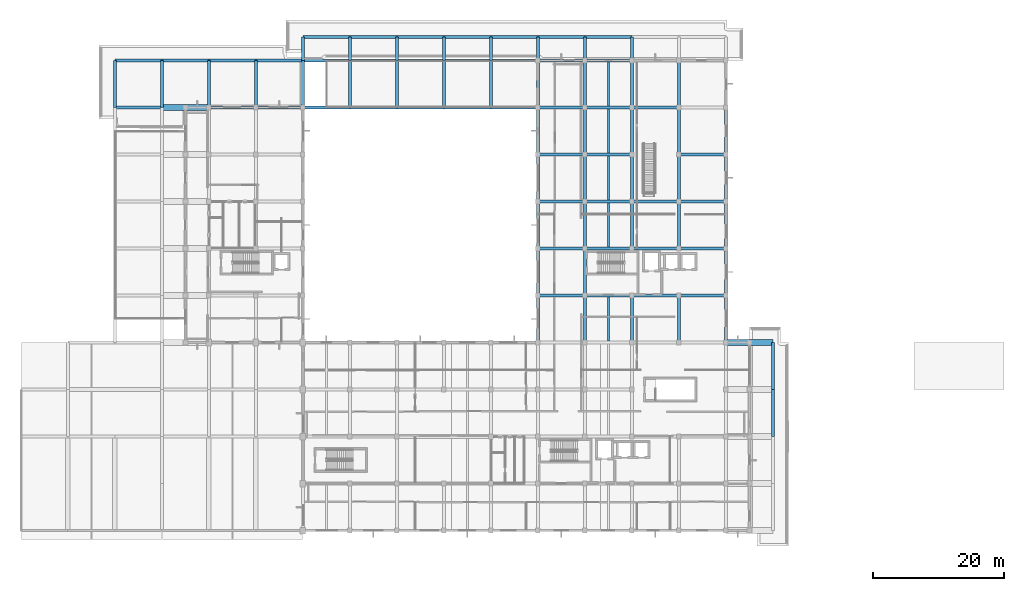
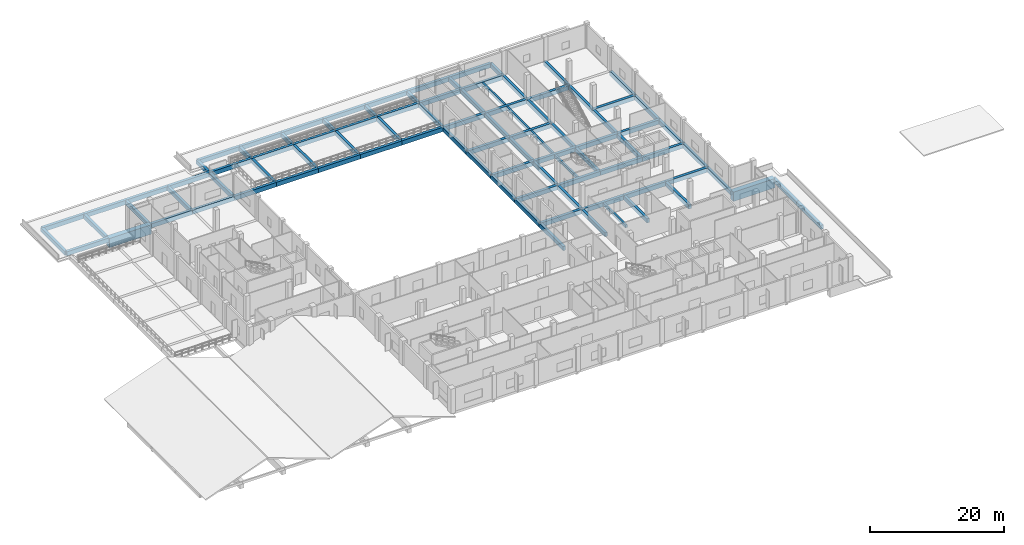
# One storey, part 7 of 24: 97 beams.
"""IFC4 building model written with IfcOpenShell, lengths in metres."""

import ifcopenshell
import ifcopenshell.guid

model = None  # the IFC model being written
_history = None  # IfcOwnerHistory: only IFC2X3 demands one
_inside = {}  # id of a spatial element -> (the spatial element, [elements in it])
_under = {}  # id of a project, library or spatial element -> (it, [spatial elements below it])
_declared = {}  # id of a project -> (the project, [libraries it declares])
_typed = {}  # id of a type object -> (the type object, [elements of that type])
_made_of = {}  # id of a material, layer set ... -> (it, [elements and type objects made of it])


def new_model(schema):
    """Start an empty IFC model of exactly this schema.

    Asked for "IFC4X3", IfcOpenShell would pick the latest addendum, in which some entities
    have other attributes; the version numbers below select the first issue.
    IFC2X3 requires an IfcOwnerHistory on every rooted entity: one is made here for all.
    """
    global model, _history
    if schema == "IFC4X3":
        model = ifcopenshell.file(schema_version=(4, 3, 0, 0))
    else:
        model = ifcopenshell.file(schema=schema)
    _inside.clear()
    _under.clear()
    _declared.clear()
    _typed.clear()
    _made_of.clear()
    _history = None
    if model.schema == "IFC2X3":
        org = make("IfcOrganization", Name="unknown")
        user = make(
            "IfcPersonAndOrganization",
            ThePerson=make("IfcPerson", FamilyName="unknown"),
            TheOrganization=org,
        )
        app = make(
            "IfcApplication",
            ApplicationDeveloper=org,
            Version="unknown",
            ApplicationFullName="unknown",
            ApplicationIdentifier="unknown",
        )
        _history = make(
            "IfcOwnerHistory",
            OwningUser=user,
            OwningApplication=app,
            ChangeAction="ADDED",
            CreationDate=0,
        )
    return model


def make(cls, **values):
    """One entity of the class cls with the attributes given. An attribute that is None is left unset."""
    return model.create_entity(
        cls, **{name: value for name, value in values.items() if value is not None}
    )


def rooted(cls, **values):
    """An entity with a GlobalId (a new one), such as an element, a storey or a relation."""
    return make(cls, GlobalId=ifcopenshell.guid.new(), OwnerHistory=_history, **values)


def si_unit(unit_type, name, prefix=None):
    """IfcSIUnit, for example si_unit("LENGTHUNIT", "METRE", prefix="MILLI")."""
    return make("IfcSIUnit", UnitType=unit_type, Prefix=prefix, Name=name)


def assignment(units):
    """IfcUnitAssignment: the units of a project."""
    return None if units is None else make("IfcUnitAssignment", Units=units)


def point(xyz):
    """IfcCartesianPoint."""
    return None if xyz is None else make("IfcCartesianPoint", Coordinates=xyz)


def direction(xyz):
    """IfcDirection."""
    return None if xyz is None else make("IfcDirection", DirectionRatios=xyz)


def frame(location, z_axis=None, x_axis=None):
    """IfcAxis2Placement3D, a coordinate frame: its origin and axes. An axis left out is left unset."""
    return make(
        "IfcAxis2Placement3D",
        Location=point(location),
        Axis=direction(z_axis),
        RefDirection=direction(x_axis),
    )


def frame_2d(location, x_axis=None):
    """IfcAxis2Placement2D, a coordinate frame in the plane: its origin and x axis."""
    return make(
        "IfcAxis2Placement2D", Location=point(location), RefDirection=direction(x_axis)
    )


def origin():
    """The frame at (0, 0, 0) with its axes left unset."""
    return frame((0.0, 0.0, 0.0))


def origin_2d():
    """The frame at (0, 0) in the plane with its x axis left unset."""
    return frame_2d((0.0, 0.0))


def place(relative_to, where):
    """IfcLocalPlacement: puts the frame where relative to a parent placement (None: the world)."""
    return make(
        "IfcLocalPlacement", PlacementRelTo=relative_to, RelativePlacement=where
    )


def context(
    kind, dimensions, precision=None, world=None, true_north=None, identifier=None
):
    """IfcGeometricRepresentationContext, for example the 3D "Model" context."""
    return make(
        "IfcGeometricRepresentationContext",
        ContextIdentifier=identifier,
        ContextType=kind,
        CoordinateSpaceDimension=dimensions,
        Precision=precision,
        WorldCoordinateSystem=world,
        TrueNorth=true_north,
    )


def subcontext(parent, identifier, kind, view, scale=None):
    """IfcGeometricRepresentationSubContext, for example "Body" below "Model"."""
    return make(
        "IfcGeometricRepresentationSubContext",
        ContextIdentifier=identifier,
        ContextType=kind,
        ParentContext=parent,
        TargetScale=scale,
        TargetView=view,
    )


def project(units=None, contexts=None):
    """IfcProject with its units and contexts."""
    return rooted(
        "IfcProject",
        Name="project",
        RepresentationContexts=contexts,
        UnitsInContext=assignment(units),
    )


def spatial(cls, under=None, at=None, **own):
    """A site, building, storey or space (cls), placed at a placement, below another one or the project."""
    s = rooted(cls, ObjectPlacement=at, **own)
    if under is not None:
        _under.setdefault(under.id(), (under, []))[1].append(s)
    return s


def profile(cls, at=None, kind="AREA", **sizes):
    """A parametric profile (cls). Its sizes go by their IFC names, for example OverallWidth=200.0."""
    return make(cls, ProfileType=kind, Position=at, **sizes)


def rectangle(**sizes):
    """IfcRectangleProfileDef."""
    return profile("IfcRectangleProfileDef", **sizes)


def extrude(swept, where, along, depth):
    """IfcExtrudedAreaSolid: the profile swept, set in the frame where, extruded along a direction by depth."""
    return make(
        "IfcExtrudedAreaSolid",
        SweptArea=swept,
        Position=where,
        ExtrudedDirection=direction(along),
        Depth=depth,
    )


def shape(context_of_items, identifier, shape_type, items):
    """IfcShapeRepresentation: the items that make up one representation, for example the "Body"."""
    return make(
        "IfcShapeRepresentation",
        ContextOfItems=context_of_items,
        RepresentationIdentifier=identifier,
        RepresentationType=shape_type,
        Items=items,
    )


def material(Name=None, Category=None):
    """IfcMaterial."""
    return make("IfcMaterial", Name=Name, Category=Category)


def material_profile(
    of_material, cross_section, Name=None, Category=None, Priority=None
):
    """IfcMaterialProfile: a cross section and its material."""
    return make(
        "IfcMaterialProfile",
        Name=Name,
        Material=of_material,
        Profile=cross_section,
        Priority=Priority,
        Category=Category,
    )


def profile_set(profiles, Name=None, composite=None):
    """IfcMaterialProfileSet."""
    return make(
        "IfcMaterialProfileSet",
        Name=Name,
        MaterialProfiles=profiles,
        CompositeProfile=composite,
    )


def made_of(thing, what):
    """Note that an element or type object is made of a material, layer set ...; save() writes the relation."""
    if what is not None:
        _made_of.setdefault(what.id(), (what, []))[1].append(thing)
    return thing


def type_object(cls, material=None, **own):
    """A type object (cls), such as IfcWallType, which elements share."""
    return made_of(rooted(cls, **own), material)


def element(
    cls,
    number,
    at=None,
    inside=None,
    cuts=None,
    type_object=None,
    material=None,
    context=None,
    identifier="Body",
    shape_type=None,
    held_by="IfcProductDefinitionShape",
    body=None,
    shapes=None,
    **own,
):
    """One element of the class cls, such as IfcWall. Its Tag is "e" and its number.

    at: its placement. inside: the storey or other place that contains it. cuts: it is an
    opening in that element (IfcRelVoidsElement). A single representation is given by context,
    identifier, shape_type and body (its items); several are given by shapes. held_by: the class
    of the entity that holds the representations. save() writes the other relations.
    """
    e = rooted(cls, Tag="e%d" % number, ObjectPlacement=at, **own)
    if body is not None:
        shapes = [shape(context, identifier, shape_type, body)]
    if shapes is not None:
        e.Representation = make(held_by, Representations=shapes)
    if inside is not None:
        _inside.setdefault(inside.id(), (inside, []))[1].append(e)
    if cuts is not None:
        rooted(
            "IfcRelVoidsElement", RelatingBuildingElement=cuts, RelatedOpeningElement=e
        )
    if type_object is not None:
        _typed.setdefault(type_object.id(), (type_object, []))[1].append(e)
    return made_of(e, material)


def aggregate(whole, parts):
    """IfcRelAggregates: a whole, such as a stair, and the parts it consists of."""
    return rooted("IfcRelAggregates", RelatingObject=whole, RelatedObjects=parts)


def save(model, path):
    """Write the relations noted so far, then the file.

    IfcRelAggregates (storeys below a building ...), IfcRelContainedInSpatialStructure (elements
    in a storey), IfcRelDefinesByType, IfcRelAssociatesMaterial and IfcRelDeclares: one each for
    every whole, place, type object, material and project.
    """
    for whole, parts in _under.values():
        aggregate(whole, parts)
    for where, things in _inside.values():
        rooted(
            "IfcRelContainedInSpatialStructure",
            RelatedElements=things,
            RelatingStructure=where,
        )
    for kind, things in _typed.values():
        rooted("IfcRelDefinesByType", RelatedObjects=things, RelatingType=kind)
    for what, things in _made_of.values():
        rooted("IfcRelAssociatesMaterial", RelatedObjects=things, RelatingMaterial=what)
    for by, libraries in _declared.values():
        rooted("IfcRelDeclares", RelatingContext=by, RelatedDefinitions=libraries)
    model.write(path)


model = new_model("IFC4")

# Units and contexts
model_context = context("Model", 3, precision=1e-05, world=origin(), true_north=direction((0.0, 1.0)))
body_context = subcontext(model_context, "Body", "Model", "MODEL_VIEW")
ifc_project = project(units=[si_unit("LENGTHUNIT", "METRE"), si_unit("AREAUNIT", "SQUARE_METRE"), si_unit("VOLUMEUNIT", "CUBIC_METRE"), si_unit("PLANEANGLEUNIT", "RADIAN"), si_unit("MASSUNIT", "GRAM", prefix="KILO")], contexts=[model_context])

# Site, building, storey
site_placement = place(None, origin())
site = spatial("IfcSite", under=ifc_project, at=site_placement, CompositionType="ELEMENT")
building_placement = place(site_placement, origin())
building = spatial("IfcBuilding", under=site, at=building_placement, Name="Seraya Terrace Polytechnic", CompositionType="ELEMENT")
storey_placement = place(building_placement, frame((0.0, 0.0, 18.89990234375)))
storey = spatial("IfcBuildingStorey", under=building, at=storey_placement, Name="L04", CompositionType="ELEMENT", Elevation=18.89990234375)

# Beams
ifc_material = material(Name="Concrete C40/50", Category="concrete")
ifc_material_profile_1 = material_profile(ifc_material, rectangle(XDim=0.47998046875, YDim=0.780029296875, at=origin_2d()), Name="RC 480x780")
ifc_profile_set_1 = profile_set([ifc_material_profile_1], Name="Concrete C40/50")
beam_type_1 = type_object("IfcBeamType", Name="BM-06", PredefinedType="BEAM", material=ifc_profile_set_1)
beam_1_placement = place(storey_placement, frame((79.199951171875, 36.0, -0.389892578125), z_axis=(1.0, 0.0, 0.0), x_axis=(0.0, 1.0, 0.0)))
element("IfcBeam", 1, at=beam_1_placement, inside=storey, type_object=beam_type_1, Name="Beam BM-06 L04 X (79.2..86.4, 36.0)", PredefinedType="BEAM", context=body_context, shape_type="SweptSolid", body=[
    extrude(rectangle(XDim=0.47998046875, YDim=0.780029296875, at=origin_2d()), origin(), (0.0, 0.0, 1.0), 7.199951171875),
])
beam_2_placement = place(storey_placement, frame((86.39990234375, 36.0, -0.389892578125), z_axis=(1.0, 0.0, 0.0), x_axis=(0.0, 1.0, 0.0)))
element("IfcBeam", 2, at=beam_2_placement, inside=storey, type_object=beam_type_1, Name="Beam BM-06 L04 X (86.4..93.6, 36.0)", PredefinedType="BEAM", context=body_context, shape_type="SweptSolid", body=[
    extrude(rectangle(XDim=0.47998046875, YDim=0.780029296875, at=origin_2d()), origin(), (0.0, 0.0, 1.0), 7.2001953125),
])
for number, where, z_axis, x_axis, name in (
    (3, (93.60009765625, 36.0, -0.389892578125), (1.0, 0.0, 0.0), (0.0, 1.0, 0.0), "Beam BM-06 L04 X (93.6..100.8, 36.0)"),
    (4, (100.800048828125, 36.0, -0.389892578125), (1.0, 0.0, 0.0), (0.0, 1.0, 0.0), "Beam BM-06 L04 X (100.8..108.0, 36.0)"),
    (5, (79.199951171875, 43.199951171875, -0.389892578125), (1.0, 0.0, 0.0), (0.0, 1.0, 0.0), "Beam BM-06 L04 X (79.2..86.4, 43.2)"),
):
    element("IfcBeam", number, at=place(storey_placement, frame(where, z_axis=z_axis, x_axis=x_axis)), inside=storey, type_object=beam_type_1, Name=name, PredefinedType="BEAM", context=body_context, shape_type="SweptSolid", body=[
        extrude(rectangle(XDim=0.47998046875, YDim=0.780029296875, at=origin_2d()), origin(), (0.0, 0.0, 1.0), 7.199951171875),
    ])
beam_3_placement = place(storey_placement, frame((86.39990234375, 43.199951171875, -0.389892578125), z_axis=(1.0, 0.0, 0.0), x_axis=(0.0, 1.0, 0.0)))
element("IfcBeam", 6, at=beam_3_placement, inside=storey, type_object=beam_type_1, Name="Beam BM-06 L04 X (86.4..93.6, 43.2)", PredefinedType="BEAM", context=body_context, shape_type="SweptSolid", body=[
    extrude(rectangle(XDim=0.47998046875, YDim=0.780029296875, at=origin_2d()), origin(), (0.0, 0.0, 1.0), 7.2001953125),
])
for number, where, z_axis, x_axis, name in (
    (7, (93.60009765625, 43.199951171875, -0.389892578125), (1.0, 0.0, 0.0), (0.0, 1.0, 0.0), "Beam BM-06 L04 X (93.6..100.8, 43.2)"),
    (8, (100.800048828125, 43.199951171875, -0.389892578125), (1.0, 0.0, 0.0), (0.0, 1.0, 0.0), "Beam BM-06 L04 X (100.8..108.0, 43.2)"),
    (9, (79.199951171875, 50.39990234375, -0.389892578125), (1.0, 0.0, 0.0), (0.0, 1.0, 0.0), "Beam BM-06 L04 X (79.2..86.4, 50.4)"),
):
    element("IfcBeam", number, at=place(storey_placement, frame(where, z_axis=z_axis, x_axis=x_axis)), inside=storey, type_object=beam_type_1, Name=name, PredefinedType="BEAM", context=body_context, shape_type="SweptSolid", body=[
        extrude(rectangle(XDim=0.47998046875, YDim=0.780029296875, at=origin_2d()), origin(), (0.0, 0.0, 1.0), 7.199951171875),
    ])
beam_4_placement = place(storey_placement, frame((86.39990234375, 50.39990234375, -0.389892578125), z_axis=(1.0, 0.0, 0.0), x_axis=(0.0, 1.0, 0.0)))
element("IfcBeam", 10, at=beam_4_placement, inside=storey, type_object=beam_type_1, Name="Beam BM-06 L04 X (86.4..93.6, 50.4)", PredefinedType="BEAM", context=body_context, shape_type="SweptSolid", body=[
    extrude(rectangle(XDim=0.47998046875, YDim=0.780029296875, at=origin_2d()), origin(), (0.0, 0.0, 1.0), 7.2001953125),
])
for number, where, z_axis, x_axis, name in (
    (11, (93.60009765625, 50.39990234375, -0.389892578125), (1.0, 0.0, 0.0), (0.0, 1.0, 0.0), "Beam BM-06 L04 X (93.6..100.8, 50.4)"),
    (12, (100.800048828125, 50.39990234375, -0.389892578125), (1.0, 0.0, 0.0), (0.0, 1.0, 0.0), "Beam BM-06 L04 X (100.8..108.0, 50.4)"),
    (13, (79.199951171875, 57.60009765625, -0.389892578125), (1.0, 0.0, 0.0), (0.0, 1.0, 0.0), "Beam BM-06 L04 X (79.2..86.4, 57.6)"),
):
    element("IfcBeam", number, at=place(storey_placement, frame(where, z_axis=z_axis, x_axis=x_axis)), inside=storey, type_object=beam_type_1, Name=name, PredefinedType="BEAM", context=body_context, shape_type="SweptSolid", body=[
        extrude(rectangle(XDim=0.47998046875, YDim=0.780029296875, at=origin_2d()), origin(), (0.0, 0.0, 1.0), 7.199951171875),
    ])
beam_5_placement = place(storey_placement, frame((86.39990234375, 57.60009765625, -0.389892578125), z_axis=(1.0, 0.0, 0.0), x_axis=(0.0, 1.0, 0.0)))
element("IfcBeam", 14, at=beam_5_placement, inside=storey, type_object=beam_type_1, Name="Beam BM-06 L04 X (86.4..93.6, 57.6)", PredefinedType="BEAM", context=body_context, shape_type="SweptSolid", body=[
    extrude(rectangle(XDim=0.47998046875, YDim=0.780029296875, at=origin_2d()), origin(), (0.0, 0.0, 1.0), 7.2001953125),
])
beam_6_placement = place(storey_placement, frame((100.800048828125, 57.60009765625, -0.389892578125), z_axis=(1.0, 0.0, 0.0), x_axis=(0.0, 1.0, 0.0)))
element("IfcBeam", 15, at=beam_6_placement, inside=storey, type_object=beam_type_1, Name="Beam BM-06 L04 X (100.8..108.0, 57.6)", PredefinedType="BEAM", context=body_context, shape_type="SweptSolid", body=[
    extrude(rectangle(XDim=0.47998046875, YDim=0.780029296875, at=origin_2d()), origin(), (0.0, 0.0, 1.0), 7.199951171875),
])
beam_7_placement = place(storey_placement, frame((14.39990234375, 64.800048828125, -0.389892578125), z_axis=(1.0, 0.0, 0.0), x_axis=(0.0, 1.0, 0.0)))
element("IfcBeam", 16, at=beam_7_placement, inside=storey, type_object=beam_type_1, Name="Beam BM-06 L04 X (14.4..21.6, 64.8)", PredefinedType="BEAM", context=body_context, shape_type="SweptSolid", body=[
    extrude(rectangle(XDim=0.47998046875, YDim=0.780029296875, at=origin_2d()), origin(), (0.0, 0.0, 1.0), 7.2001953125),
])
for number, where, z_axis, x_axis, name in (
    (17, (28.800048828125, 64.800048828125, -0.389892578125), (1.0, 0.0, 0.0), (0.0, 1.0, 0.0), "Beam BM-06 L04 X (28.8..36.0, 64.8)"),
    (18, (36.0, 64.800048828125, -0.389892578125), (1.0, 0.0, 0.0), (0.0, 1.0, 0.0), "Beam BM-06 L04 X (36.0..43.2, 64.8)"),
    (19, (43.199951171875, 64.800048828125, -0.389892578125), (1.0, 0.0, 0.0), (0.0, 1.0, 0.0), "Beam BM-06 L04 X (43.2..50.4, 64.8)"),
):
    element("IfcBeam", number, at=place(storey_placement, frame(where, z_axis=z_axis, x_axis=x_axis)), inside=storey, type_object=beam_type_1, Name=name, PredefinedType="BEAM", context=body_context, shape_type="SweptSolid", body=[
        extrude(rectangle(XDim=0.47998046875, YDim=0.780029296875, at=origin_2d()), origin(), (0.0, 0.0, 1.0), 7.199951171875),
    ])
beam_8_placement = place(storey_placement, frame((50.39990234375, 64.800048828125, -0.389892578125), z_axis=(1.0, 0.0, 0.0), x_axis=(0.0, 1.0, 0.0)))
element("IfcBeam", 20, at=beam_8_placement, inside=storey, type_object=beam_type_1, Name="Beam BM-06 L04 X (50.4..57.6, 64.8)", PredefinedType="BEAM", context=body_context, shape_type="SweptSolid", body=[
    extrude(rectangle(XDim=0.47998046875, YDim=0.780029296875, at=origin_2d()), origin(), (0.0, 0.0, 1.0), 7.2001953125),
])
for number, where, z_axis, x_axis, name in (
    (21, (57.60009765625, 64.800048828125, -0.389892578125), (1.0, 0.0, 0.0), (0.0, 1.0, 0.0), "Beam BM-06 L04 X (57.6..64.8, 64.8)"),
    (22, (64.800048828125, 64.800048828125, -0.389892578125), (1.0, 0.0, 0.0), (0.0, 1.0, 0.0), "Beam BM-06 L04 X (64.8..72.0, 64.8)"),
    (23, (72.0, 64.800048828125, -0.389892578125), (1.0, 0.0, 0.0), (0.0, 1.0, 0.0), "Beam BM-06 L04 X (72.0..79.2, 64.8)"),
    (24, (79.199951171875, 64.800048828125, -0.389892578125), (1.0, 0.0, 0.0), (0.0, 1.0, 0.0), "Beam BM-06 L04 X (79.2..86.4, 64.8)"),
):
    element("IfcBeam", number, at=place(storey_placement, frame(where, z_axis=z_axis, x_axis=x_axis)), inside=storey, type_object=beam_type_1, Name=name, PredefinedType="BEAM", context=body_context, shape_type="SweptSolid", body=[
        extrude(rectangle(XDim=0.47998046875, YDim=0.780029296875, at=origin_2d()), origin(), (0.0, 0.0, 1.0), 7.199951171875),
    ])
beam_9_placement = place(storey_placement, frame((86.39990234375, 64.800048828125, -0.389892578125), z_axis=(1.0, 0.0, 0.0), x_axis=(0.0, 1.0, 0.0)))
element("IfcBeam", 25, at=beam_9_placement, inside=storey, type_object=beam_type_1, Name="Beam BM-06 L04 X (86.4..93.6, 64.8)", PredefinedType="BEAM", context=body_context, shape_type="SweptSolid", body=[
    extrude(rectangle(XDim=0.47998046875, YDim=0.780029296875, at=origin_2d()), origin(), (0.0, 0.0, 1.0), 7.2001953125),
])
beam_10_placement = place(storey_placement, frame((93.60009765625, 64.800048828125, -0.389892578125), z_axis=(1.0, 0.0, 0.0), x_axis=(0.0, 1.0, 0.0)))
element("IfcBeam", 26, at=beam_10_placement, inside=storey, type_object=beam_type_1, Name="Beam BM-06 L04 X (93.6..100.8, 64.8)", PredefinedType="BEAM", context=body_context, shape_type="SweptSolid", body=[
    extrude(rectangle(XDim=0.47998046875, YDim=0.780029296875, at=origin_2d()), origin(), (0.0, 0.0, 1.0), 7.199951171875),
])
beam_11_placement = place(storey_placement, frame((14.39990234375, 72.0, -0.389892578125), z_axis=(1.0, 0.0, 0.0), x_axis=(0.0, 1.0, 0.0)))
element("IfcBeam", 27, at=beam_11_placement, inside=storey, type_object=beam_type_1, Name="Beam BM-06 L04 X (14.4..21.6, 72.0)", PredefinedType="BEAM", context=body_context, shape_type="SweptSolid", body=[
    extrude(rectangle(XDim=0.47998046875, YDim=0.780029296875, at=origin_2d()), origin(), (0.0, 0.0, 1.0), 7.2001953125),
])
for number, where, z_axis, x_axis, name in (
    (28, (21.60009765625, 72.0, -0.389892578125), (1.0, 0.0, 0.0), (0.0, 1.0, 0.0), "Beam BM-06 L04 X (21.6..28.8, 72.0)"),
    (29, (28.800048828125, 72.0, -0.389892578125), (1.0, 0.0, 0.0), (0.0, 1.0, 0.0), "Beam BM-06 L04 X (28.8..36.0, 72.0)"),
    (30, (36.0, 72.0, -0.389892578125), (1.0, 0.0, 0.0), (0.0, 1.0, 0.0), "Beam BM-06 L04 X (36.0..43.2, 72.0)"),
    (31, (43.199951171875, 72.0, -0.389892578125), (1.0, 0.0, 0.0), (0.0, 1.0, 0.0), "Beam BM-06 L04 X (43.2..50.4, 72.0)"),
):
    element("IfcBeam", number, at=place(storey_placement, frame(where, z_axis=z_axis, x_axis=x_axis)), inside=storey, type_object=beam_type_1, Name=name, PredefinedType="BEAM", context=body_context, shape_type="SweptSolid", body=[
        extrude(rectangle(XDim=0.47998046875, YDim=0.780029296875, at=origin_2d()), origin(), (0.0, 0.0, 1.0), 7.199951171875),
    ])
beam_12_placement = place(storey_placement, frame((50.39990234375, 72.0, -0.389892578125), z_axis=(1.0, 0.0, 0.0), x_axis=(0.0, 1.0, 0.0)))
element("IfcBeam", 32, at=beam_12_placement, inside=storey, type_object=beam_type_1, Name="Beam BM-06 L04 X (50.4..57.6, 72.0)", PredefinedType="BEAM", context=body_context, shape_type="SweptSolid", body=[
    extrude(rectangle(XDim=0.47998046875, YDim=0.780029296875, at=origin_2d()), origin(), (0.0, 0.0, 1.0), 7.2001953125),
])
for number, where, z_axis, x_axis, name in (
    (33, (57.60009765625, 72.0, -0.389892578125), (1.0, 0.0, 0.0), (0.0, 1.0, 0.0), "Beam BM-06 L04 X (57.6..64.8, 72.0)"),
    (34, (64.800048828125, 72.0, -0.389892578125), (1.0, 0.0, 0.0), (0.0, 1.0, 0.0), "Beam BM-06 L04 X (64.8..72.0, 72.0)"),
    (35, (72.0, 72.0, -0.389892578125), (1.0, 0.0, 0.0), (0.0, 1.0, 0.0), "Beam BM-06 L04 X (72.0..79.2, 72.0)"),
    (36, (79.199951171875, 72.0, -0.389892578125), (1.0, 0.0, 0.0), (0.0, 1.0, 0.0), "Beam BM-06 L04 X (79.2..86.4, 72.0)"),
):
    element("IfcBeam", number, at=place(storey_placement, frame(where, z_axis=z_axis, x_axis=x_axis)), inside=storey, type_object=beam_type_1, Name=name, PredefinedType="BEAM", context=body_context, shape_type="SweptSolid", body=[
        extrude(rectangle(XDim=0.47998046875, YDim=0.780029296875, at=origin_2d()), origin(), (0.0, 0.0, 1.0), 7.199951171875),
    ])
beam_13_placement = place(storey_placement, frame((86.39990234375, 72.0, -0.389892578125), z_axis=(1.0, 0.0, 0.0), x_axis=(0.0, 1.0, 0.0)))
element("IfcBeam", 37, at=beam_13_placement, inside=storey, type_object=beam_type_1, Name="Beam BM-06 L04 X (86.4..93.6, 72.0)", PredefinedType="BEAM", context=body_context, shape_type="SweptSolid", body=[
    extrude(rectangle(XDim=0.47998046875, YDim=0.780029296875, at=origin_2d()), origin(), (0.0, 0.0, 1.0), 7.2001953125),
])
beam_14_placement = place(storey_placement, frame((43.199951171875, 75.60009765625, -0.389892578125), z_axis=(1.0, 0.0, 0.0), x_axis=(0.0, 1.0, 0.0)))
element("IfcBeam", 38, at=beam_14_placement, inside=storey, type_object=beam_type_1, Name="Beam BM-06 L04 X (43.2..50.4, 75.6)", PredefinedType="BEAM", context=body_context, shape_type="SweptSolid", body=[
    extrude(rectangle(XDim=0.47998046875, YDim=0.780029296875, at=origin_2d()), origin(), (0.0, 0.0, 1.0), 7.199951171875),
])
beam_15_placement = place(storey_placement, frame((50.39990234375, 75.60009765625, -0.389892578125), z_axis=(1.0, 0.0, 0.0), x_axis=(0.0, 1.0, 0.0)))
element("IfcBeam", 39, at=beam_15_placement, inside=storey, type_object=beam_type_1, Name="Beam BM-06 L04 X (50.4..57.6, 75.6)", PredefinedType="BEAM", context=body_context, shape_type="SweptSolid", body=[
    extrude(rectangle(XDim=0.47998046875, YDim=0.780029296875, at=origin_2d()), origin(), (0.0, 0.0, 1.0), 7.2001953125),
])
for number, where, z_axis, x_axis, name in (
    (40, (57.60009765625, 75.60009765625, -0.389892578125), (1.0, 0.0, 0.0), (0.0, 1.0, 0.0), "Beam BM-06 L04 X (57.6..64.8, 75.6)"),
    (41, (64.800048828125, 75.60009765625, -0.389892578125), (1.0, 0.0, 0.0), (0.0, 1.0, 0.0), "Beam BM-06 L04 X (64.8..72.0, 75.6)"),
    (42, (72.0, 75.60009765625, -0.389892578125), (1.0, 0.0, 0.0), (0.0, 1.0, 0.0), "Beam BM-06 L04 X (72.0..79.2, 75.6)"),
    (43, (79.199951171875, 75.60009765625, -0.389892578125), (1.0, 0.0, 0.0), (0.0, 1.0, 0.0), "Beam BM-06 L04 X (79.2..86.4, 75.6)"),
):
    element("IfcBeam", number, at=place(storey_placement, frame(where, z_axis=z_axis, x_axis=x_axis)), inside=storey, type_object=beam_type_1, Name=name, PredefinedType="BEAM", context=body_context, shape_type="SweptSolid", body=[
        extrude(rectangle(XDim=0.47998046875, YDim=0.780029296875, at=origin_2d()), origin(), (0.0, 0.0, 1.0), 7.199951171875),
    ])
beam_16_placement = place(storey_placement, frame((86.39990234375, 75.60009765625, -0.389892578125), z_axis=(1.0, 0.0, 0.0), x_axis=(0.0, 1.0, 0.0)))
element("IfcBeam", 44, at=beam_16_placement, inside=storey, type_object=beam_type_1, Name="Beam BM-06 L04 X (86.4..93.6, 75.6)", PredefinedType="BEAM", context=body_context, shape_type="SweptSolid", body=[
    extrude(rectangle(XDim=0.47998046875, YDim=0.780029296875, at=origin_2d()), origin(), (0.0, 0.0, 1.0), 7.2001953125),
])
ifc_material_profile_2 = material_profile(ifc_material, rectangle(XDim=0.449951171875, YDim=0.75, at=origin_2d()), Name="RC 450x750")
ifc_profile_set_2 = profile_set([ifc_material_profile_2], Name="Concrete C40/50")
beam_type_2 = type_object("IfcBeamType", Name="BM-08", PredefinedType="BEAM", material=ifc_profile_set_2)
for number, where, z_axis, x_axis, name in (
    (45, (14.39990234375, 64.800048828125, -0.375), (0.0, 1.0, 0.0), (-1.0, 0.0, 0.0), "Beam BM-08 L04 Y (14.4, 64.8..72.0)"),
    (46, (21.60009765625, 64.800048828125, -0.375), (0.0, 1.0, 0.0), (-1.0, 0.0, 0.0), "Beam BM-08 L04 Y (21.6, 64.8..72.0)"),
    (47, (28.800048828125, 64.800048828125, -0.375), (0.0, 1.0, 0.0), (-1.0, 0.0, 0.0), "Beam BM-08 L04 Y (28.8, 64.8..72.0)"),
    (48, (36.0, 64.800048828125, -0.375), (0.0, 1.0, 0.0), (-1.0, 0.0, 0.0), "Beam BM-08 L04 Y (36.0, 64.8..72.0)"),
    (49, (43.199951171875, 64.800048828125, -0.375), (0.0, 1.0, 0.0), (-1.0, 0.0, 0.0), "Beam BM-08 L04 Y (43.2, 64.8..72.0)"),
):
    element("IfcBeam", number, at=place(storey_placement, frame(where, z_axis=z_axis, x_axis=x_axis)), inside=storey, type_object=beam_type_2, Name=name, PredefinedType="BEAM", context=body_context, shape_type="SweptSolid", body=[
        extrude(rectangle(XDim=0.449951171875, YDim=0.75, at=origin_2d()), origin(), (0.0, 0.0, 1.0), 7.199951171875),
    ])
beam_17_placement = place(storey_placement, frame((43.199951171875, 72.0, -0.375), z_axis=(0.0, 1.0, 0.0), x_axis=(-1.0, 0.0, 0.0)))
element("IfcBeam", 50, at=beam_17_placement, inside=storey, type_object=beam_type_2, Name="Beam BM-08 L04 Y (43.2, 72.0..75.6)", PredefinedType="BEAM", context=body_context, shape_type="SweptSolid", body=[
    extrude(rectangle(XDim=0.449951171875, YDim=0.75, at=origin_2d()), origin(), (0.0, 0.0, 1.0), 3.60009765625),
])
beam_18_placement = place(storey_placement, frame((50.39990234375, 64.800048828125, -0.375), z_axis=(0.0, 1.0, 0.0), x_axis=(-1.0, 0.0, 0.0)))
element("IfcBeam", 51, at=beam_18_placement, inside=storey, type_object=beam_type_2, Name="Beam BM-08 L04 Y (50.4, 64.8..72.0)", PredefinedType="BEAM", context=body_context, shape_type="SweptSolid", body=[
    extrude(rectangle(XDim=0.449951171875, YDim=0.75, at=origin_2d()), origin(), (0.0, 0.0, 1.0), 7.199951171875),
])
beam_19_placement = place(storey_placement, frame((50.39990234375, 72.0, -0.375), z_axis=(0.0, 1.0, 0.0), x_axis=(-1.0, 0.0, 0.0)))
element("IfcBeam", 52, at=beam_19_placement, inside=storey, type_object=beam_type_2, Name="Beam BM-08 L04 Y (50.4, 72.0..75.6)", PredefinedType="BEAM", context=body_context, shape_type="SweptSolid", body=[
    extrude(rectangle(XDim=0.449951171875, YDim=0.75, at=origin_2d()), origin(), (0.0, 0.0, 1.0), 3.60009765625),
])
beam_20_placement = place(storey_placement, frame((57.60009765625, 64.800048828125, -0.375), z_axis=(0.0, 1.0, 0.0), x_axis=(-1.0, 0.0, 0.0)))
element("IfcBeam", 53, at=beam_20_placement, inside=storey, type_object=beam_type_2, Name="Beam BM-08 L04 Y (57.6, 64.8..72.0)", PredefinedType="BEAM", context=body_context, shape_type="SweptSolid", body=[
    extrude(rectangle(XDim=0.449951171875, YDim=0.75, at=origin_2d()), origin(), (0.0, 0.0, 1.0), 7.199951171875),
])
beam_21_placement = place(storey_placement, frame((57.60009765625, 72.0, -0.375), z_axis=(0.0, 1.0, 0.0), x_axis=(-1.0, 0.0, 0.0)))
element("IfcBeam", 54, at=beam_21_placement, inside=storey, type_object=beam_type_2, Name="Beam BM-08 L04 Y (57.6, 72.0..75.6)", PredefinedType="BEAM", context=body_context, shape_type="SweptSolid", body=[
    extrude(rectangle(XDim=0.449951171875, YDim=0.75, at=origin_2d()), origin(), (0.0, 0.0, 1.0), 3.60009765625),
])
beam_22_placement = place(storey_placement, frame((64.800048828125, 64.800048828125, -0.375), z_axis=(0.0, 1.0, 0.0), x_axis=(-1.0, 0.0, 0.0)))
element("IfcBeam", 55, at=beam_22_placement, inside=storey, type_object=beam_type_2, Name="Beam BM-08 L04 Y (64.8, 64.8..72.0)", PredefinedType="BEAM", context=body_context, shape_type="SweptSolid", body=[
    extrude(rectangle(XDim=0.449951171875, YDim=0.75, at=origin_2d()), origin(), (0.0, 0.0, 1.0), 7.199951171875),
])
beam_23_placement = place(storey_placement, frame((64.800048828125, 72.0, -0.375), z_axis=(0.0, 1.0, 0.0), x_axis=(-1.0, 0.0, 0.0)))
element("IfcBeam", 56, at=beam_23_placement, inside=storey, type_object=beam_type_2, Name="Beam BM-08 L04 Y (64.8, 72.0..75.6)", PredefinedType="BEAM", context=body_context, shape_type="SweptSolid", body=[
    extrude(rectangle(XDim=0.449951171875, YDim=0.75, at=origin_2d()), origin(), (0.0, 0.0, 1.0), 3.60009765625),
])
beam_24_placement = place(storey_placement, frame((72.0, 64.800048828125, -0.375), z_axis=(0.0, 1.0, 0.0), x_axis=(-1.0, 0.0, 0.0)))
element("IfcBeam", 57, at=beam_24_placement, inside=storey, type_object=beam_type_2, Name="Beam BM-08 L04 Y (72.0, 64.8..72.0)", PredefinedType="BEAM", context=body_context, shape_type="SweptSolid", body=[
    extrude(rectangle(XDim=0.449951171875, YDim=0.75, at=origin_2d()), origin(), (0.0, 0.0, 1.0), 7.199951171875),
])
beam_25_placement = place(storey_placement, frame((72.0, 72.0, -0.375), z_axis=(0.0, 1.0, 0.0), x_axis=(-1.0, 0.0, 0.0)))
element("IfcBeam", 58, at=beam_25_placement, inside=storey, type_object=beam_type_2, Name="Beam BM-08 L04 Y (72.0, 72.0..75.6)", PredefinedType="BEAM", context=body_context, shape_type="SweptSolid", body=[
    extrude(rectangle(XDim=0.449951171875, YDim=0.75, at=origin_2d()), origin(), (0.0, 0.0, 1.0), 3.60009765625),
])
for number, where, z_axis, x_axis, name in (
    (59, (79.199951171875, 28.800048828125, -0.375), (0.0, 1.0, 0.0), (-1.0, 0.0, 0.0), "Beam BM-08 L04 Y (79.2, 28.8..36.0)"),
    (60, (79.199951171875, 36.0, -0.375), (0.0, 1.0, 0.0), (-1.0, 0.0, 0.0), "Beam BM-08 L04 Y (79.2, 36.0..43.2)"),
    (61, (79.199951171875, 43.199951171875, -0.375), (0.0, 1.0, 0.0), (-1.0, 0.0, 0.0), "Beam BM-08 L04 Y (79.2, 43.2..50.4)"),
):
    element("IfcBeam", number, at=place(storey_placement, frame(where, z_axis=z_axis, x_axis=x_axis)), inside=storey, type_object=beam_type_2, Name=name, PredefinedType="BEAM", context=body_context, shape_type="SweptSolid", body=[
        extrude(rectangle(XDim=0.449951171875, YDim=0.75, at=origin_2d()), origin(), (0.0, 0.0, 1.0), 7.199951171875),
    ])
beam_26_placement = place(storey_placement, frame((79.199951171875, 50.39990234375, -0.375), z_axis=(0.0, 1.0, 0.0), x_axis=(-1.0, 0.0, 0.0)))
element("IfcBeam", 62, at=beam_26_placement, inside=storey, type_object=beam_type_2, Name="Beam BM-08 L04 Y (79.2, 50.4..57.6)", PredefinedType="BEAM", context=body_context, shape_type="SweptSolid", body=[
    extrude(rectangle(XDim=0.449951171875, YDim=0.75, at=origin_2d()), origin(), (0.0, 0.0, 1.0), 7.2001953125),
])
for number, where, z_axis, x_axis, name in (
    (63, (79.199951171875, 57.60009765625, -0.375), (0.0, 1.0, 0.0), (-1.0, 0.0, 0.0), "Beam BM-08 L04 Y (79.2, 57.6..64.8)"),
    (64, (79.199951171875, 64.800048828125, -0.375), (0.0, 1.0, 0.0), (-1.0, 0.0, 0.0), "Beam BM-08 L04 Y (79.2, 64.8..72.0)"),
):
    element("IfcBeam", number, at=place(storey_placement, frame(where, z_axis=z_axis, x_axis=x_axis)), inside=storey, type_object=beam_type_2, Name=name, PredefinedType="BEAM", context=body_context, shape_type="SweptSolid", body=[
        extrude(rectangle(XDim=0.449951171875, YDim=0.75, at=origin_2d()), origin(), (0.0, 0.0, 1.0), 7.199951171875),
    ])
beam_27_placement = place(storey_placement, frame((79.199951171875, 72.0, -0.375), z_axis=(0.0, 1.0, 0.0), x_axis=(-1.0, 0.0, 0.0)))
element("IfcBeam", 65, at=beam_27_placement, inside=storey, type_object=beam_type_2, Name="Beam BM-08 L04 Y (79.2, 72.0..75.6)", PredefinedType="BEAM", context=body_context, shape_type="SweptSolid", body=[
    extrude(rectangle(XDim=0.449951171875, YDim=0.75, at=origin_2d()), origin(), (0.0, 0.0, 1.0), 3.60009765625),
])
for number, where, z_axis, x_axis, name in (
    (66, (86.39990234375, 28.800048828125, -0.375), (0.0, 1.0, 0.0), (-1.0, 0.0, 0.0), "Beam BM-08 L04 Y (86.4, 28.8..36.0)"),
    (67, (86.39990234375, 36.0, -0.375), (0.0, 1.0, 0.0), (-1.0, 0.0, 0.0), "Beam BM-08 L04 Y (86.4, 36.0..43.2)"),
    (68, (86.39990234375, 43.199951171875, -0.375), (0.0, 1.0, 0.0), (-1.0, 0.0, 0.0), "Beam BM-08 L04 Y (86.4, 43.2..50.4)"),
):
    element("IfcBeam", number, at=place(storey_placement, frame(where, z_axis=z_axis, x_axis=x_axis)), inside=storey, type_object=beam_type_2, Name=name, PredefinedType="BEAM", context=body_context, shape_type="SweptSolid", body=[
        extrude(rectangle(XDim=0.449951171875, YDim=0.75, at=origin_2d()), origin(), (0.0, 0.0, 1.0), 7.199951171875),
    ])
beam_28_placement = place(storey_placement, frame((86.39990234375, 50.39990234375, -0.375), z_axis=(0.0, 1.0, 0.0), x_axis=(-1.0, 0.0, 0.0)))
element("IfcBeam", 69, at=beam_28_placement, inside=storey, type_object=beam_type_2, Name="Beam BM-08 L04 Y (86.4, 50.4..57.6)", PredefinedType="BEAM", context=body_context, shape_type="SweptSolid", body=[
    extrude(rectangle(XDim=0.449951171875, YDim=0.75, at=origin_2d()), origin(), (0.0, 0.0, 1.0), 7.2001953125),
])
for number, where, z_axis, x_axis, name in (
    (70, (86.39990234375, 57.60009765625, -0.375), (0.0, 1.0, 0.0), (-1.0, 0.0, 0.0), "Beam BM-08 L04 Y (86.4, 57.6..64.8)"),
    (71, (86.39990234375, 64.800048828125, -0.375), (0.0, 1.0, 0.0), (-1.0, 0.0, 0.0), "Beam BM-08 L04 Y (86.4, 64.8..72.0)"),
):
    element("IfcBeam", number, at=place(storey_placement, frame(where, z_axis=z_axis, x_axis=x_axis)), inside=storey, type_object=beam_type_2, Name=name, PredefinedType="BEAM", context=body_context, shape_type="SweptSolid", body=[
        extrude(rectangle(XDim=0.449951171875, YDim=0.75, at=origin_2d()), origin(), (0.0, 0.0, 1.0), 7.199951171875),
    ])
beam_29_placement = place(storey_placement, frame((86.39990234375, 72.0, -0.375), z_axis=(0.0, 1.0, 0.0), x_axis=(-1.0, 0.0, 0.0)))
element("IfcBeam", 72, at=beam_29_placement, inside=storey, type_object=beam_type_2, Name="Beam BM-08 L04 Y (86.4, 72.0..75.6)", PredefinedType="BEAM", context=body_context, shape_type="SweptSolid", body=[
    extrude(rectangle(XDim=0.449951171875, YDim=0.75, at=origin_2d()), origin(), (0.0, 0.0, 1.0), 3.60009765625),
])
for number, where, z_axis, x_axis, name in (
    (73, (93.60009765625, 28.800048828125, -0.375), (0.0, 1.0, 0.0), (-1.0, 0.0, 0.0), "Beam BM-08 L04 Y (93.6, 28.8..36.0)"),
    (74, (93.60009765625, 43.199951171875, -0.375), (0.0, 1.0, 0.0), (-1.0, 0.0, 0.0), "Beam BM-08 L04 Y (93.6, 43.2..50.4)"),
):
    element("IfcBeam", number, at=place(storey_placement, frame(where, z_axis=z_axis, x_axis=x_axis)), inside=storey, type_object=beam_type_2, Name=name, PredefinedType="BEAM", context=body_context, shape_type="SweptSolid", body=[
        extrude(rectangle(XDim=0.449951171875, YDim=0.75, at=origin_2d()), origin(), (0.0, 0.0, 1.0), 7.199951171875),
    ])
beam_30_placement = place(storey_placement, frame((93.60009765625, 50.39990234375, -0.375), z_axis=(0.0, 1.0, 0.0), x_axis=(-1.0, 0.0, 0.0)))
element("IfcBeam", 75, at=beam_30_placement, inside=storey, type_object=beam_type_2, Name="Beam BM-08 L04 Y (93.6, 50.4..57.6)", PredefinedType="BEAM", context=body_context, shape_type="SweptSolid", body=[
    extrude(rectangle(XDim=0.449951171875, YDim=0.75, at=origin_2d()), origin(), (0.0, 0.0, 1.0), 7.2001953125),
])
for number, where, z_axis, x_axis, name in (
    (76, (93.60009765625, 57.60009765625, -0.375), (0.0, 1.0, 0.0), (-1.0, 0.0, 0.0), "Beam BM-08 L04 Y (93.6, 57.6..64.8)"),
    (77, (93.60009765625, 64.800048828125, -0.375), (0.0, 1.0, 0.0), (-1.0, 0.0, 0.0), "Beam BM-08 L04 Y (93.6, 64.8..72.0)"),
):
    element("IfcBeam", number, at=place(storey_placement, frame(where, z_axis=z_axis, x_axis=x_axis)), inside=storey, type_object=beam_type_2, Name=name, PredefinedType="BEAM", context=body_context, shape_type="SweptSolid", body=[
        extrude(rectangle(XDim=0.449951171875, YDim=0.75, at=origin_2d()), origin(), (0.0, 0.0, 1.0), 7.199951171875),
    ])
beam_31_placement = place(storey_placement, frame((93.60009765625, 72.0, -0.375), z_axis=(0.0, 1.0, 0.0), x_axis=(-1.0, 0.0, 0.0)))
element("IfcBeam", 78, at=beam_31_placement, inside=storey, type_object=beam_type_2, Name="Beam BM-08 L04 Y (93.6, 72.0..75.6)", PredefinedType="BEAM", context=body_context, shape_type="SweptSolid", body=[
    extrude(rectangle(XDim=0.449951171875, YDim=0.75, at=origin_2d()), origin(), (0.0, 0.0, 1.0), 3.60009765625),
])
for number, where, z_axis, x_axis, name in (
    (79, (100.800048828125, 28.800048828125, -0.375), (0.0, 1.0, 0.0), (-1.0, 0.0, 0.0), "Beam BM-08 L04 Y (100.8, 28.8..36.0)"),
    (80, (100.800048828125, 43.199951171875, -0.375), (0.0, 1.0, 0.0), (-1.0, 0.0, 0.0), "Beam BM-08 L04 Y (100.8, 43.2..50.4)"),
):
    element("IfcBeam", number, at=place(storey_placement, frame(where, z_axis=z_axis, x_axis=x_axis)), inside=storey, type_object=beam_type_2, Name=name, PredefinedType="BEAM", context=body_context, shape_type="SweptSolid", body=[
        extrude(rectangle(XDim=0.449951171875, YDim=0.75, at=origin_2d()), origin(), (0.0, 0.0, 1.0), 7.199951171875),
    ])
beam_32_placement = place(storey_placement, frame((100.800048828125, 50.39990234375, -0.375), z_axis=(0.0, 1.0, 0.0), x_axis=(-1.0, 0.0, 0.0)))
element("IfcBeam", 81, at=beam_32_placement, inside=storey, type_object=beam_type_2, Name="Beam BM-08 L04 Y (100.8, 50.4..57.6)", PredefinedType="BEAM", context=body_context, shape_type="SweptSolid", body=[
    extrude(rectangle(XDim=0.449951171875, YDim=0.75, at=origin_2d()), origin(), (0.0, 0.0, 1.0), 7.2001953125),
])
for number, where, z_axis, x_axis, name in (
    (82, (100.800048828125, 57.60009765625, -0.375), (0.0, 1.0, 0.0), (-1.0, 0.0, 0.0), "Beam BM-08 L04 Y (100.8, 57.6..64.8)"),
    (83, (100.800048828125, 64.800048828125, -0.375), (0.0, 1.0, 0.0), (-1.0, 0.0, 0.0), "Beam BM-08 L04 Y (100.8, 64.8..72.0)"),
    (84, (108.0, 28.800048828125, -0.375), (0.0, 1.0, 0.0), (-1.0, 0.0, 0.0), "Beam BM-08 L04 Y (108.0, 28.8..36.0)"),
    (85, (108.0, 36.0, -0.375), (0.0, 1.0, 0.0), (-1.0, 0.0, 0.0), "Beam BM-08 L04 Y (108.0, 36.0..43.2)"),
    (86, (108.0, 43.199951171875, -0.375), (0.0, 1.0, 0.0), (-1.0, 0.0, 0.0), "Beam BM-08 L04 Y (108.0, 43.2..50.4)"),
):
    element("IfcBeam", number, at=place(storey_placement, frame(where, z_axis=z_axis, x_axis=x_axis)), inside=storey, type_object=beam_type_2, Name=name, PredefinedType="BEAM", context=body_context, shape_type="SweptSolid", body=[
        extrude(rectangle(XDim=0.449951171875, YDim=0.75, at=origin_2d()), origin(), (0.0, 0.0, 1.0), 7.199951171875),
    ])
beam_33_placement = place(storey_placement, frame((108.0, 50.39990234375, -0.375), z_axis=(0.0, 1.0, 0.0), x_axis=(-1.0, 0.0, 0.0)))
element("IfcBeam", 87, at=beam_33_placement, inside=storey, type_object=beam_type_2, Name="Beam BM-08 L04 Y (108.0, 50.4..57.6)", PredefinedType="BEAM", context=body_context, shape_type="SweptSolid", body=[
    extrude(rectangle(XDim=0.449951171875, YDim=0.75, at=origin_2d()), origin(), (0.0, 0.0, 1.0), 7.2001953125),
])
beam_34_placement = place(storey_placement, frame((108.0, 57.60009765625, -0.375), z_axis=(0.0, 1.0, 0.0), x_axis=(-1.0, 0.0, 0.0)))
element("IfcBeam", 88, at=beam_34_placement, inside=storey, type_object=beam_type_2, Name="Beam BM-08 L04 Y (108.0, 57.6..64.8)", PredefinedType="BEAM", context=body_context, shape_type="SweptSolid", body=[
    extrude(rectangle(XDim=0.449951171875, YDim=0.75, at=origin_2d()), origin(), (0.0, 0.0, 1.0), 7.199951171875),
])
beam_35_placement = place(storey_placement, frame((115.199951171875, 14.39990234375, -0.375), z_axis=(0.0, 1.0, 0.0), x_axis=(-1.0, 0.0, 0.0)))
element("IfcBeam", 89, at=beam_35_placement, inside=storey, type_object=beam_type_2, Name="Beam BM-08 L04 Y (115.2, 14.4..21.6)", PredefinedType="BEAM", context=body_context, shape_type="SweptSolid", body=[
    extrude(rectangle(XDim=0.449951171875, YDim=0.75, at=origin_2d()), origin(), (0.0, 0.0, 1.0), 7.2001953125),
])
beam_36_placement = place(storey_placement, frame((115.199951171875, 21.60009765625, -0.375), z_axis=(0.0, 1.0, 0.0), x_axis=(-1.0, 0.0, 0.0)))
element("IfcBeam", 90, at=beam_36_placement, inside=storey, type_object=beam_type_2, Name="Beam BM-08 L04 Y (115.2, 21.6..28.8)", PredefinedType="BEAM", context=body_context, shape_type="SweptSolid", body=[
    extrude(rectangle(XDim=0.449951171875, YDim=0.75, at=origin_2d()), origin(), (0.0, 0.0, 1.0), 7.199951171875),
])
ifc_material_profile_3 = material_profile(ifc_material, rectangle(XDim=0.320068359375, YDim=0.5400390625, at=origin_2d()), Name="RC 320x540")
ifc_profile_set_3 = profile_set([ifc_material_profile_3], Name="Concrete C40/50")
beam_type_3 = type_object("IfcBeamType", Name="JS-04", PredefinedType="JOIST", material=ifc_profile_set_3)
for number, where, z_axis, x_axis, name in (
    (91, (90.0, 29.0400390625, -0.27001953125), (0.0, 1.0, 0.0), (-1.0, 0.0, 0.0), "Secondary joist JS-04 L04"),
    (92, (90.0, 43.43994140625, -0.27001953125), (0.0, 1.0, 0.0), (-1.0, 0.0, 0.0), "Secondary joist JS-04 L04"),
):
    element("IfcBeam", number, at=place(storey_placement, frame(where, z_axis=z_axis, x_axis=x_axis)), inside=storey, type_object=beam_type_3, Name=name, PredefinedType="JOIST", context=body_context, shape_type="SweptSolid", body=[
        extrude(rectangle(XDim=0.320068359375, YDim=0.5400390625, at=origin_2d()), origin(), (0.0, 0.0, 1.0), 6.719970703125),
    ])
beam_37_placement = place(storey_placement, frame((90.0, 50.639892578125, -0.27001953125), z_axis=(0.0, 1.0, 0.0), x_axis=(-1.0, 0.0, 0.0)))
element("IfcBeam", 93, at=beam_37_placement, inside=storey, type_object=beam_type_3, Name="Secondary joist JS-04 L04", PredefinedType="JOIST", context=body_context, shape_type="SweptSolid", body=[
    extrude(rectangle(XDim=0.320068359375, YDim=0.5400390625, at=origin_2d()), origin(), (0.0, 0.0, 1.0), 6.72021484375),
])
for number, where, z_axis, x_axis, name in (
    (94, (90.0, 57.840087890625, -0.27001953125), (0.0, 1.0, 0.0), (-1.0, 0.0, 0.0), "Secondary joist JS-04 L04"),
    (95, (90.0, 65.0400390625, -0.27001953125), (0.0, 1.0, 0.0), (-1.0, 0.0, 0.0), "Secondary joist JS-04 L04"),
):
    element("IfcBeam", number, at=place(storey_placement, frame(where, z_axis=z_axis, x_axis=x_axis)), inside=storey, type_object=beam_type_3, Name=name, PredefinedType="JOIST", context=body_context, shape_type="SweptSolid", body=[
        extrude(rectangle(XDim=0.320068359375, YDim=0.5400390625, at=origin_2d()), origin(), (0.0, 0.0, 1.0), 6.719970703125),
    ])
ifc_material_profile_4 = material_profile(ifc_material, rectangle(XDim=0.85009765625, YDim=1.699951171875, at=origin_2d()), Name="RC 850x1700")
ifc_profile_set_4 = profile_set([ifc_material_profile_4], Name="Concrete C40/50")
beam_type_4 = type_object("IfcBeamType", Name="TG-02", PredefinedType="USERDEFINED", material=ifc_profile_set_4)
for number, where, z_axis, x_axis, name in (
    (96, (21.60009765625, 64.800048828125, -0.849853515625), (1.0, 0.0, 0.0), (0.0, 1.0, 0.0), "Transfer girder TG-02 L04 #27"),
    (97, (108.0, 28.800048828125, -0.849853515625), (1.0, 0.0, 0.0), (0.0, 1.0, 0.0), "Transfer girder TG-02 L04 #32"),
):
    element("IfcBeam", number, at=place(storey_placement, frame(where, z_axis=z_axis, x_axis=x_axis)), inside=storey, type_object=beam_type_4, Name=name, ObjectType="GIRDER", PredefinedType="USERDEFINED", context=body_context, shape_type="SweptSolid", body=[
        extrude(rectangle(XDim=0.85009765625, YDim=1.699951171875, at=origin_2d()), origin(), (0.0, 0.0, 1.0), 7.199951171875),
    ])

save(model, "model.ifc")
